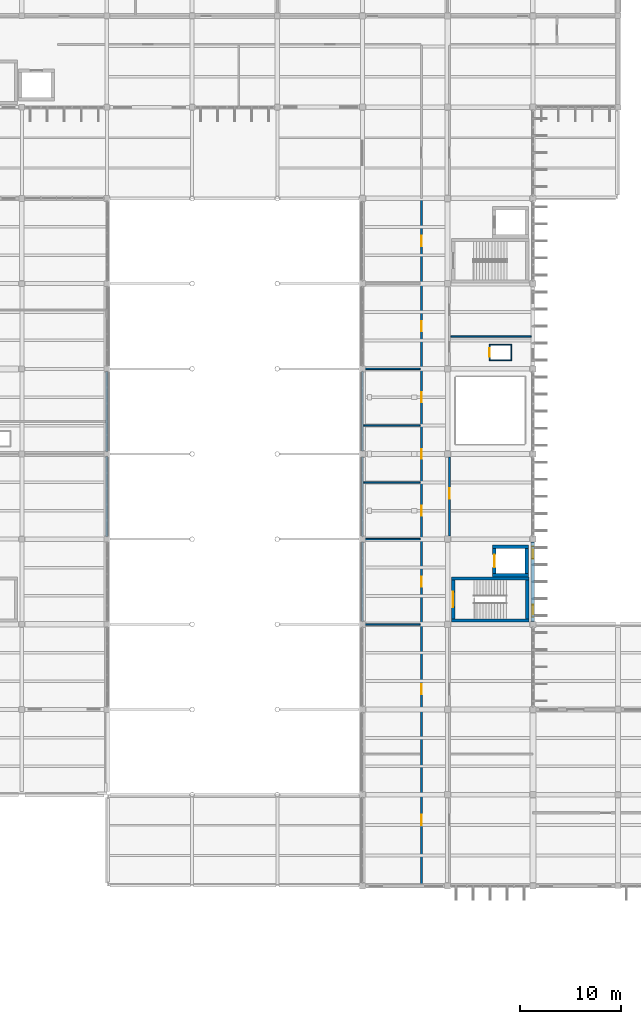
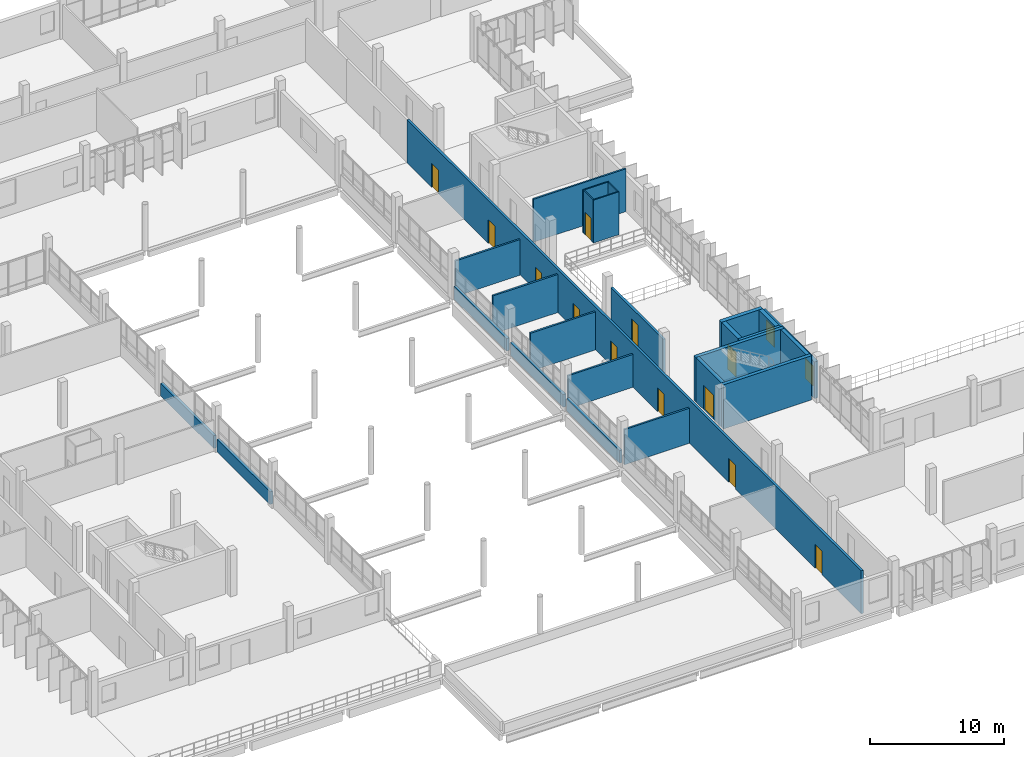
# One storey, part 114 of 130: 26 walls, 12 doors, 2 windows, 14 openings.
"""IFC4 building model written with IfcOpenShell, lengths in metres."""

import ifcopenshell
import ifcopenshell.guid

model = None  # the IFC model being written
_history = None  # IfcOwnerHistory: only IFC2X3 demands one
_inside = {}  # id of a spatial element -> (the spatial element, [elements in it])
_under = {}  # id of a project, library or spatial element -> (it, [spatial elements below it])
_declared = {}  # id of a project -> (the project, [libraries it declares])
_typed = {}  # id of a type object -> (the type object, [elements of that type])
_made_of = {}  # id of a material, layer set ... -> (it, [elements and type objects made of it])


def new_model(schema):
    """Start an empty IFC model of exactly this schema.

    Asked for "IFC4X3", IfcOpenShell would pick the latest addendum, in which some entities
    have other attributes; the version numbers below select the first issue.
    IFC2X3 requires an IfcOwnerHistory on every rooted entity: one is made here for all.
    """
    global model, _history
    if schema == "IFC4X3":
        model = ifcopenshell.file(schema_version=(4, 3, 0, 0))
    else:
        model = ifcopenshell.file(schema=schema)
    _inside.clear()
    _under.clear()
    _declared.clear()
    _typed.clear()
    _made_of.clear()
    _history = None
    if model.schema == "IFC2X3":
        org = make("IfcOrganization", Name="unknown")
        user = make(
            "IfcPersonAndOrganization",
            ThePerson=make("IfcPerson", FamilyName="unknown"),
            TheOrganization=org,
        )
        app = make(
            "IfcApplication",
            ApplicationDeveloper=org,
            Version="unknown",
            ApplicationFullName="unknown",
            ApplicationIdentifier="unknown",
        )
        _history = make(
            "IfcOwnerHistory",
            OwningUser=user,
            OwningApplication=app,
            ChangeAction="ADDED",
            CreationDate=0,
        )
    return model


def make(cls, **values):
    """One entity of the class cls with the attributes given. An attribute that is None is left unset."""
    return model.create_entity(
        cls, **{name: value for name, value in values.items() if value is not None}
    )


def rooted(cls, **values):
    """An entity with a GlobalId (a new one), such as an element, a storey or a relation."""
    return make(cls, GlobalId=ifcopenshell.guid.new(), OwnerHistory=_history, **values)


def si_unit(unit_type, name, prefix=None):
    """IfcSIUnit, for example si_unit("LENGTHUNIT", "METRE", prefix="MILLI")."""
    return make("IfcSIUnit", UnitType=unit_type, Prefix=prefix, Name=name)


def assignment(units):
    """IfcUnitAssignment: the units of a project."""
    return None if units is None else make("IfcUnitAssignment", Units=units)


def point(xyz):
    """IfcCartesianPoint."""
    return None if xyz is None else make("IfcCartesianPoint", Coordinates=xyz)


def direction(xyz):
    """IfcDirection."""
    return None if xyz is None else make("IfcDirection", DirectionRatios=xyz)


def frame(location, z_axis=None, x_axis=None):
    """IfcAxis2Placement3D, a coordinate frame: its origin and axes. An axis left out is left unset."""
    return make(
        "IfcAxis2Placement3D",
        Location=point(location),
        Axis=direction(z_axis),
        RefDirection=direction(x_axis),
    )


def frame_2d(location, x_axis=None):
    """IfcAxis2Placement2D, a coordinate frame in the plane: its origin and x axis."""
    return make(
        "IfcAxis2Placement2D", Location=point(location), RefDirection=direction(x_axis)
    )


def origin():
    """The frame at (0, 0, 0) with its axes left unset."""
    return frame((0.0, 0.0, 0.0))


def place(relative_to, where):
    """IfcLocalPlacement: puts the frame where relative to a parent placement (None: the world)."""
    return make(
        "IfcLocalPlacement", PlacementRelTo=relative_to, RelativePlacement=where
    )


def context(
    kind, dimensions, precision=None, world=None, true_north=None, identifier=None
):
    """IfcGeometricRepresentationContext, for example the 3D "Model" context."""
    return make(
        "IfcGeometricRepresentationContext",
        ContextIdentifier=identifier,
        ContextType=kind,
        CoordinateSpaceDimension=dimensions,
        Precision=precision,
        WorldCoordinateSystem=world,
        TrueNorth=true_north,
    )


def subcontext(parent, identifier, kind, view, scale=None):
    """IfcGeometricRepresentationSubContext, for example "Body" below "Model"."""
    return make(
        "IfcGeometricRepresentationSubContext",
        ContextIdentifier=identifier,
        ContextType=kind,
        ParentContext=parent,
        TargetScale=scale,
        TargetView=view,
    )


def project(units=None, contexts=None):
    """IfcProject with its units and contexts."""
    return rooted(
        "IfcProject",
        Name="project",
        RepresentationContexts=contexts,
        UnitsInContext=assignment(units),
    )


def spatial(cls, under=None, at=None, **own):
    """A site, building, storey or space (cls), placed at a placement, below another one or the project."""
    s = rooted(cls, ObjectPlacement=at, **own)
    if under is not None:
        _under.setdefault(under.id(), (under, []))[1].append(s)
    return s


def profile(cls, at=None, kind="AREA", **sizes):
    """A parametric profile (cls). Its sizes go by their IFC names, for example OverallWidth=200.0."""
    return make(cls, ProfileType=kind, Position=at, **sizes)


def rectangle(**sizes):
    """IfcRectangleProfileDef."""
    return profile("IfcRectangleProfileDef", **sizes)


def extrude(swept, where, along, depth):
    """IfcExtrudedAreaSolid: the profile swept, set in the frame where, extruded along a direction by depth."""
    return make(
        "IfcExtrudedAreaSolid",
        SweptArea=swept,
        Position=where,
        ExtrudedDirection=direction(along),
        Depth=depth,
    )


def shape(context_of_items, identifier, shape_type, items):
    """IfcShapeRepresentation: the items that make up one representation, for example the "Body"."""
    return make(
        "IfcShapeRepresentation",
        ContextOfItems=context_of_items,
        RepresentationIdentifier=identifier,
        RepresentationType=shape_type,
        Items=items,
    )


def material(Name=None, Category=None):
    """IfcMaterial."""
    return make("IfcMaterial", Name=Name, Category=Category)


def layer(
    of_material, thickness, ventilated=None, Name=None, Category=None, Priority=None
):
    """IfcMaterialLayer: one layer of a wall or slab, of a material (None: an air gap)."""
    return make(
        "IfcMaterialLayer",
        Material=of_material,
        LayerThickness=thickness,
        IsVentilated=ventilated,
        Name=Name,
        Category=Category,
        Priority=Priority,
    )


def layer_set(layers, Name=None):
    """IfcMaterialLayerSet."""
    return make("IfcMaterialLayerSet", MaterialLayers=layers, LayerSetName=Name)


def made_of(thing, what):
    """Note that an element or type object is made of a material, layer set ...; save() writes the relation."""
    if what is not None:
        _made_of.setdefault(what.id(), (what, []))[1].append(thing)
    return thing


def type_object(cls, material=None, **own):
    """A type object (cls), such as IfcWallType, which elements share."""
    return made_of(rooted(cls, **own), material)


def element(
    cls,
    number,
    at=None,
    inside=None,
    cuts=None,
    type_object=None,
    material=None,
    context=None,
    identifier="Body",
    shape_type=None,
    held_by="IfcProductDefinitionShape",
    body=None,
    shapes=None,
    **own,
):
    """One element of the class cls, such as IfcWall. Its Tag is "e" and its number.

    at: its placement. inside: the storey or other place that contains it. cuts: it is an
    opening in that element (IfcRelVoidsElement). A single representation is given by context,
    identifier, shape_type and body (its items); several are given by shapes. held_by: the class
    of the entity that holds the representations. save() writes the other relations.
    """
    e = rooted(cls, Tag="e%d" % number, ObjectPlacement=at, **own)
    if body is not None:
        shapes = [shape(context, identifier, shape_type, body)]
    if shapes is not None:
        e.Representation = make(held_by, Representations=shapes)
    if inside is not None:
        _inside.setdefault(inside.id(), (inside, []))[1].append(e)
    if cuts is not None:
        rooted(
            "IfcRelVoidsElement", RelatingBuildingElement=cuts, RelatedOpeningElement=e
        )
    if type_object is not None:
        _typed.setdefault(type_object.id(), (type_object, []))[1].append(e)
    return made_of(e, material)


def fill(opening, filler):
    """IfcRelFillsElement: the door or window that sits in an opening."""
    return rooted(
        "IfcRelFillsElement",
        RelatingOpeningElement=opening,
        RelatedBuildingElement=filler,
    )


def aggregate(whole, parts):
    """IfcRelAggregates: a whole, such as a stair, and the parts it consists of."""
    return rooted("IfcRelAggregates", RelatingObject=whole, RelatedObjects=parts)


def save(model, path):
    """Write the relations noted so far, then the file.

    IfcRelAggregates (storeys below a building ...), IfcRelContainedInSpatialStructure (elements
    in a storey), IfcRelDefinesByType, IfcRelAssociatesMaterial and IfcRelDeclares: one each for
    every whole, place, type object, material and project.
    """
    for whole, parts in _under.values():
        aggregate(whole, parts)
    for where, things in _inside.values():
        rooted(
            "IfcRelContainedInSpatialStructure",
            RelatedElements=things,
            RelatingStructure=where,
        )
    for kind, things in _typed.values():
        rooted("IfcRelDefinesByType", RelatedObjects=things, RelatingType=kind)
    for what, things in _made_of.values():
        rooted("IfcRelAssociatesMaterial", RelatedObjects=things, RelatingMaterial=what)
    for by, libraries in _declared.values():
        rooted("IfcRelDeclares", RelatingContext=by, RelatedDefinitions=libraries)
    model.write(path)


model = new_model("IFC4")

# Units and contexts
model_context = context("Model", 3, precision=1e-05, world=origin(), true_north=direction((0.0, 1.0)))
body_context = subcontext(model_context, "Body", "Model", "MODEL_VIEW")
ifc_project = project(units=[si_unit("LENGTHUNIT", "METRE"), si_unit("AREAUNIT", "SQUARE_METRE"), si_unit("VOLUMEUNIT", "CUBIC_METRE"), si_unit("PLANEANGLEUNIT", "RADIAN"), si_unit("MASSUNIT", "GRAM", prefix="KILO")], contexts=[model_context])

# Site, building, storey
site_placement = place(None, origin())
site = spatial("IfcSite", under=ifc_project, at=site_placement, CompositionType="ELEMENT")
building_placement = place(site_placement, origin())
building = spatial("IfcBuilding", under=site, at=building_placement, Name="Vireocrest Preparatory School", CompositionType="ELEMENT")
storey_placement = place(building_placement, frame((0.0, 0.0, 9.0)))
storey = spatial("IfcBuildingStorey", under=building, at=storey_placement, Name="L02", CompositionType="ELEMENT", Elevation=9.0)

# Wall
ifc_material_1 = material(Name="Gypsum board on cold-formed steel studs", Category="steel")
ifc_layer_1 = layer(ifc_material_1, 0.139892578125)
ifc_layer_set_1 = layer_set([ifc_layer_1], Name="Gypsum board on cold-formed steel studs")
wall_type_1 = type_object("IfcWallType", Name="Classroom Acoustic Partition Wall 140", PredefinedType="PARTITIONING", material=ifc_layer_set_1)
wall_1_placement = place(storey_placement, frame((101.10498046875, 72.199951171875, 0.0), z_axis=(0.0, 0.0, 1.0), x_axis=(1.0, 0.0, 0.0)))
element("IfcWall", 1, at=wall_1_placement, inside=storey, type_object=wall_type_1, Name="Interior Partition W03 IW_L02_0238", PredefinedType="PARTITIONING", context=body_context, shape_type="SweptSolid", body=[
    extrude(rectangle(XDim=7.929931640625, YDim=0.139892578125, at=frame_2d((3.96484375, 0.0))), origin(), (0.0, 0.0, 1.0), 3.89990234375),
])

# Wall, openings, doors
ifc_layer_2 = layer(ifc_material_1, 0.199951171875)
ifc_layer_set_2 = layer_set([ifc_layer_2], Name="Gypsum board on cold-formed steel studs")
wall_type_2 = type_object("IfcWallType", Name="Corridor One-Hour Fire Partition 200", PredefinedType="PARTITIONING", material=ifc_layer_set_2)
wall_2_placement = place(storey_placement, frame((98.199951171875, 18.1650390625, 0.0), z_axis=(0.0, 0.0, 1.0), x_axis=(0.0, 1.0, 0.0)))
wall_2 = element("IfcWall", 2, at=wall_2_placement, inside=storey, type_object=wall_type_2, Name="Interior Partition W06 IW_L02_0232", PredefinedType="PARTITIONING", context=body_context, shape_type="SweptSolid", body=[
    extrude(rectangle(XDim=67.625, YDim=0.199951171875, at=frame_2d((33.8125, 0.0))), origin(), (0.0, 0.0, 1.0), 3.89990234375),
])
opening_1_placement = place(wall_2_placement, frame((5.8349609375, 0.0, 0.0)))
opening_1 = element("IfcOpeningElement", 3, at=opening_1_placement, cuts=wall_2, Name="Opening D-L02-E2W01", PredefinedType="OPENING", context=body_context, shape_type="SweptSolid", body=[
    extrude(rectangle(XDim=1.0, YDim=2.14990234375, at=frame_2d((0.5, 1.074951171875))), frame((0.0, 0.10986328125, 0.0), z_axis=(0.0, -1.0, 0.0), x_axis=(1.0, 0.0, 0.0)), (0.0, 0.0, 1.0), 0.219970703125),
])
opening_2_placement = place(wall_2_placement, frame((18.735107421875, 0.0, 0.0)))
opening_2 = element("IfcOpeningElement", 4, at=opening_2_placement, cuts=wall_2, Name="Opening D-L02-E2W02", PredefinedType="OPENING", context=body_context, shape_type="SweptSolid", body=[
    extrude(rectangle(XDim=1.0, YDim=2.14990234375, at=frame_2d((0.5, 1.074951171875))), frame((0.0, 0.10986328125, 0.0), z_axis=(0.0, -1.0, 0.0), x_axis=(1.0, 0.0, 0.0)), (0.0, 0.0, 1.0), 0.219970703125),
])
opening_3_placement = place(wall_2_placement, frame((29.3349609375, 0.0, 0.0)))
opening_3 = element("IfcOpeningElement", 5, at=opening_3_placement, cuts=wall_2, Name="Opening D-L02-E2W03", PredefinedType="OPENING", context=body_context, shape_type="SweptSolid", body=[
    extrude(rectangle(XDim=1.0, YDim=2.14990234375, at=frame_2d((0.5, 1.074951171875))), frame((0.0, 0.10986328125, 0.0), z_axis=(0.0, -1.0, 0.0), x_axis=(1.0, 0.0, 0.0)), (0.0, 0.0, 1.0), 0.219970703125),
])
opening_4_placement = place(wall_2_placement, frame((36.360107421875, 0.0, 0.0)))
opening_4 = element("IfcOpeningElement", 6, at=opening_4_placement, cuts=wall_2, Name="Opening D-L02-E2W04", PredefinedType="OPENING", context=body_context, shape_type="SweptSolid", body=[
    extrude(rectangle(XDim=0.949951171875, YDim=2.199951171875, at=frame_2d((0.47509765625, 1.10009765625))), frame((0.0, 0.10986328125, 0.0), z_axis=(0.0, -1.0, 0.0), x_axis=(1.0, 0.0, 0.0)), (0.0, 0.0, 1.0), 0.219970703125),
])
opening_5_placement = place(wall_2_placement, frame((41.9599609375, 0.0, 0.0)))
opening_5 = element("IfcOpeningElement", 7, at=opening_5_placement, cuts=wall_2, Name="Opening D-L02-E2W05", PredefinedType="OPENING", context=body_context, shape_type="SweptSolid", body=[
    extrude(rectangle(XDim=0.949951171875, YDim=2.199951171875, at=frame_2d((0.47509765625, 1.10009765625))), frame((0.0, 0.10986328125, 0.0), z_axis=(0.0, -1.0, 0.0), x_axis=(1.0, 0.0, 0.0)), (0.0, 0.0, 1.0), 0.219970703125),
])
opening_6_placement = place(wall_2_placement, frame((47.56005859375, 0.0, 0.0)))
opening_6 = element("IfcOpeningElement", 8, at=opening_6_placement, cuts=wall_2, Name="Opening D-L02-E2W06", PredefinedType="OPENING", context=body_context, shape_type="SweptSolid", body=[
    extrude(rectangle(XDim=0.949951171875, YDim=2.10009765625, at=frame_2d((0.47509765625, 1.050048828125))), frame((0.0, 0.10986328125, 0.0), z_axis=(0.0, -1.0, 0.0), x_axis=(1.0, 0.0, 0.0)), (0.0, 0.0, 1.0), 0.219970703125),
])
opening_7_placement = place(wall_2_placement, frame((54.534912109375, 0.0, 0.0)))
opening_7 = element("IfcOpeningElement", 9, at=opening_7_placement, cuts=wall_2, Name="Opening D-L02-E2W07", PredefinedType="OPENING", context=body_context, shape_type="SweptSolid", body=[
    extrude(rectangle(XDim=1.0, YDim=2.14990234375, at=frame_2d((0.5, 1.074951171875))), frame((0.0, 0.10986328125, 0.0), z_axis=(0.0, -1.0, 0.0), x_axis=(1.0, 0.0, 0.0)), (0.0, 0.0, 1.0), 0.219970703125),
])
opening_8_placement = place(wall_2_placement, frame((62.93505859375, 0.0, 0.0)))
opening_8 = element("IfcOpeningElement", 10, at=opening_8_placement, cuts=wall_2, Name="Opening D-L02-E2W08", PredefinedType="OPENING", context=body_context, shape_type="SweptSolid", body=[
    extrude(rectangle(XDim=1.0, YDim=2.14990234375, at=frame_2d((0.5, 1.074951171875))), frame((0.0, 0.10986328125, 0.0), z_axis=(0.0, -1.0, 0.0), x_axis=(1.0, 0.0, 0.0)), (0.0, 0.0, 1.0), 0.219970703125),
])
ifc_material_2 = material(Name="Solid-core architectural birch timber", Category="wood")
door_type_1 = type_object("IfcDoorType", Name="Accessible WC Timber Door 950x2100", OperationType="NOTDEFINED", PredefinedType="DOOR", material=ifc_material_2)
door_1_placement = place(opening_6_placement, origin())
door_1 = element("IfcDoor", 11, at=door_1_placement, inside=storey, type_object=door_type_1, Name="Interior Door D-L02-E2W06", OperationType="SINGLE_SWING_RIGHT", OverallHeight=2.10009765625, OverallWidth=0.949951171875, PredefinedType="DOOR", context=body_context, shape_type="SweptSolid", body=[
    extrude(rectangle(XDim=0.949951171875, YDim=2.10009765625, at=frame_2d((0.47509765625, 1.050048828125))), frame((0.0, 0.02490234375, 0.0), z_axis=(0.0, -1.0, 0.0), x_axis=(1.0, 0.0, 0.0)), (0.0, 0.0, 1.0), 0.050048828125),
])
fill(opening_6, door_1)
door_type_2 = type_object("IfcDoorType", Name="Classroom Acoustic Timber Door 1000x2150", OperationType="NOTDEFINED", PredefinedType="DOOR", material=ifc_material_2)
door_2_placement = place(opening_1_placement, origin())
door_2 = element("IfcDoor", 12, at=door_2_placement, inside=storey, type_object=door_type_2, Name="Interior Door D-L02-E2W01", OperationType="SINGLE_SWING_LEFT", OverallHeight=2.14990234375, OverallWidth=1.0, PredefinedType="DOOR", context=body_context, shape_type="SweptSolid", body=[
    extrude(rectangle(XDim=1.0, YDim=2.14990234375, at=frame_2d((0.5, 1.074951171875))), frame((0.0, 0.02490234375, 0.0), z_axis=(0.0, -1.0, 0.0), x_axis=(1.0, 0.0, 0.0)), (0.0, 0.0, 1.0), 0.050048828125),
])
fill(opening_1, door_2)
door_3_placement = place(opening_2_placement, origin())
door_3 = element("IfcDoor", 13, at=door_3_placement, inside=storey, type_object=door_type_2, Name="Interior Door D-L02-E2W02", OperationType="SINGLE_SWING_RIGHT", OverallHeight=2.14990234375, OverallWidth=1.0, PredefinedType="DOOR", context=body_context, shape_type="SweptSolid", body=[
    extrude(rectangle(XDim=1.0, YDim=2.14990234375, at=frame_2d((0.5, 1.074951171875))), frame((0.0, 0.02490234375, 0.0), z_axis=(0.0, -1.0, 0.0), x_axis=(1.0, 0.0, 0.0)), (0.0, 0.0, 1.0), 0.050048828125),
])
fill(opening_2, door_3)
door_4_placement = place(opening_3_placement, origin())
door_4 = element("IfcDoor", 14, at=door_4_placement, inside=storey, type_object=door_type_2, Name="Interior Door D-L02-E2W03", OperationType="SINGLE_SWING_LEFT", OverallHeight=2.14990234375, OverallWidth=1.0, PredefinedType="DOOR", context=body_context, shape_type="SweptSolid", body=[
    extrude(rectangle(XDim=1.0, YDim=2.14990234375, at=frame_2d((0.5, 1.074951171875))), frame((0.0, 0.02490234375, 0.0), z_axis=(0.0, -1.0, 0.0), x_axis=(1.0, 0.0, 0.0)), (0.0, 0.0, 1.0), 0.050048828125),
])
fill(opening_3, door_4)
door_5_placement = place(opening_7_placement, origin())
door_5 = element("IfcDoor", 15, at=door_5_placement, inside=storey, type_object=door_type_2, Name="Interior Door D-L02-E2W07", OperationType="SINGLE_SWING_LEFT", OverallHeight=2.14990234375, OverallWidth=1.0, PredefinedType="DOOR", context=body_context, shape_type="SweptSolid", body=[
    extrude(rectangle(XDim=1.0, YDim=2.14990234375, at=frame_2d((0.5, 1.074951171875))), frame((0.0, 0.02490234375, 0.0), z_axis=(0.0, -1.0, 0.0), x_axis=(1.0, 0.0, 0.0)), (0.0, 0.0, 1.0), 0.050048828125),
])
fill(opening_7, door_5)
door_6_placement = place(opening_8_placement, origin())
door_6 = element("IfcDoor", 16, at=door_6_placement, inside=storey, type_object=door_type_2, Name="Interior Door D-L02-E2W08", OperationType="SINGLE_SWING_RIGHT", OverallHeight=2.14990234375, OverallWidth=1.0, PredefinedType="DOOR", context=body_context, shape_type="SweptSolid", body=[
    extrude(rectangle(XDim=1.0, YDim=2.14990234375, at=frame_2d((0.5, 1.074951171875))), frame((0.0, 0.02490234375, 0.0), z_axis=(0.0, -1.0, 0.0), x_axis=(1.0, 0.0, 0.0)), (0.0, 0.0, 1.0), 0.050048828125),
])
fill(opening_8, door_6)
door_type_3 = type_object("IfcDoorType", Name="Student Washroom Door 950x2200", OperationType="NOTDEFINED", PredefinedType="DOOR", material=ifc_material_2)
door_7_placement = place(opening_4_placement, origin())
door_7 = element("IfcDoor", 17, at=door_7_placement, inside=storey, type_object=door_type_3, Name="Interior Door D-L02-E2W04", OperationType="SINGLE_SWING_RIGHT", OverallHeight=2.199951171875, OverallWidth=0.949951171875, PredefinedType="DOOR", context=body_context, shape_type="SweptSolid", body=[
    extrude(rectangle(XDim=0.949951171875, YDim=2.199951171875, at=frame_2d((0.47509765625, 1.10009765625))), frame((0.0, 0.02490234375, 0.0), z_axis=(0.0, -1.0, 0.0), x_axis=(1.0, 0.0, 0.0)), (0.0, 0.0, 1.0), 0.050048828125),
])
fill(opening_4, door_7)
door_8_placement = place(opening_5_placement, origin())
door_8 = element("IfcDoor", 18, at=door_8_placement, inside=storey, type_object=door_type_3, Name="Interior Door D-L02-E2W05", OperationType="SINGLE_SWING_LEFT", OverallHeight=2.199951171875, OverallWidth=0.949951171875, PredefinedType="DOOR", context=body_context, shape_type="SweptSolid", body=[
    extrude(rectangle(XDim=0.949951171875, YDim=2.199951171875, at=frame_2d((0.47509765625, 1.10009765625))), frame((0.0, 0.02490234375, 0.0), z_axis=(0.0, -1.0, 0.0), x_axis=(1.0, 0.0, 0.0)), (0.0, 0.0, 1.0), 0.050048828125),
])
fill(opening_5, door_8)

# Wall, opening, door
wall_3_placement = place(storey_placement, frame((101.0, 52.510009765625, 0.0), z_axis=(0.0, 0.0, 1.0), x_axis=(0.0, 1.0, 0.0)))
wall_3 = element("IfcWall", 19, at=wall_3_placement, inside=storey, type_object=wall_type_2, Name="Interior Partition W06 IW_L02_0237", PredefinedType="PARTITIONING", context=body_context, shape_type="SweptSolid", body=[
    extrude(rectangle(XDim=7.780029296875, YDim=0.199951171875, at=frame_2d((3.89013671875, 0.0))), origin(), (0.0, 0.0, 1.0), 3.139892578125),
])
opening_9_placement = place(wall_3_placement, frame((3.68994140625, 0.0, 0.0)))
opening_9 = element("IfcOpeningElement", 20, at=opening_9_placement, cuts=wall_3, Name="Opening D-L02-E2EN01", PredefinedType="OPENING", context=body_context, shape_type="SweptSolid", body=[
    extrude(rectangle(XDim=1.0, YDim=2.14990234375, at=frame_2d((0.5, 1.074951171875))), frame((0.0, 0.10986328125, 0.0), z_axis=(0.0, -1.0, 0.0), x_axis=(1.0, 0.0, 0.0)), (0.0, 0.0, 1.0), 0.219970703125),
])
door_9_placement = place(opening_9_placement, origin())
door_9 = element("IfcDoor", 21, at=door_9_placement, inside=storey, type_object=door_type_2, Name="Interior Door D-L02-E2EN01", OperationType="SINGLE_SWING_LEFT", OverallHeight=2.14990234375, OverallWidth=1.0, PredefinedType="DOOR", context=body_context, shape_type="SweptSolid", body=[
    extrude(rectangle(XDim=1.0, YDim=2.14990234375, at=frame_2d((0.5, 1.074951171875))), frame((0.0, 0.02490234375, 0.0), z_axis=(0.0, -1.0, 0.0), x_axis=(1.0, 0.0, 0.0)), (0.0, 0.0, 1.0), 0.050048828125),
])
fill(opening_9, door_9)

# Wall, openings, windows
ifc_material_3 = material(Name="Precast white concrete 40 MPa", Category="concrete")
ifc_layer_3 = layer(ifc_material_3, 0.320068359375)
ifc_layer_set_3 = layer_set([ifc_layer_3], Name="Precast white concrete 40 MPa")
wall_type_3 = type_object("IfcWallType", Name="High-Tech Insulated Rainscreen External Wall 320", PredefinedType="SOLIDWALL", material=ifc_layer_set_3)
wall_4_placement = place(storey_placement, frame((109.199951171875, 44.074951171875, 0.0), z_axis=(0.0, 0.0, 1.0), x_axis=(0.0, 1.0, 0.0)))
wall_4 = element("IfcWall", 22, at=wall_4_placement, inside=storey, type_object=wall_type_3, Name="External Wall W12 EW_L02_0228", PredefinedType="SOLIDWALL", context=body_context, shape_type="SweptSolid", body=[
    extrude(rectangle(XDim=7.85009765625, YDim=0.320068359375, at=frame_2d((3.925048828125, 0.0))), origin(), (0.0, 0.0, 1.0), 3.340087890625),
])
opening_10_placement = place(wall_4_placement, frame((0.449951171875, 0.0, 0.85009765625)))
opening_10 = element("IfcOpeningElement", 23, at=opening_10_placement, cuts=wall_4, Name="Opening WN02", PredefinedType="OPENING", context=body_context, shape_type="SweptSolid", body=[
    extrude(rectangle(XDim=1.199951171875, YDim=1.800048828125, at=frame_2d((0.60009765625, 0.89990234375))), frame((0.0, 0.169921875, 0.0), z_axis=(0.0, -1.0, 0.0), x_axis=(1.0, 0.0, 0.0)), (0.0, 0.0, 1.0), 0.340087890625),
])
opening_11_placement = place(wall_4_placement, frame((6.199951171875, 0.0, 0.85009765625)))
opening_11 = element("IfcOpeningElement", 24, at=opening_11_placement, cuts=wall_4, Name="Opening WN02", PredefinedType="OPENING", context=body_context, shape_type="SweptSolid", body=[
    extrude(rectangle(XDim=1.199951171875, YDim=1.800048828125, at=frame_2d((0.60009765625, 0.89990234375))), frame((0.0, 0.169921875, 0.0), z_axis=(0.0, -1.0, 0.0), x_axis=(1.0, 0.0, 0.0)), (0.0, 0.0, 1.0), 0.340087890625),
])
ifc_material_4 = material(Name="Thermally broken aluminium EN AW-6063-T6", Category="aluminium")
window_type = type_object("IfcWindowType", Name="Counseling Window 1200x1800", PartitioningType="SINGLE_PANEL", PredefinedType="WINDOW", material=ifc_material_4)
window_1_placement = place(opening_10_placement, origin())
window_1 = element("IfcWindow", 25, at=window_1_placement, inside=storey, type_object=window_type, Name="Window W-L02-100 (WN02)", OverallHeight=1.800048828125, OverallWidth=1.199951171875, PartitioningType="SINGLE_PANEL", PredefinedType="WINDOW", context=body_context, shape_type="SweptSolid", body=[
    extrude(rectangle(XDim=1.199951171875, YDim=1.800048828125, at=frame_2d((0.60009765625, 0.89990234375))), frame((0.0, 0.030029296875, 0.0), z_axis=(0.0, -1.0, 0.0), x_axis=(1.0, 0.0, 0.0)), (0.0, 0.0, 1.0), 0.06005859375),
])
fill(opening_10, window_1)
window_2_placement = place(opening_11_placement, origin())
window_2 = element("IfcWindow", 26, at=window_2_placement, inside=storey, type_object=window_type, Name="Window W-L02-101 (WN02)", OverallHeight=1.800048828125, OverallWidth=1.199951171875, PartitioningType="SINGLE_PANEL", PredefinedType="WINDOW", context=body_context, shape_type="SweptSolid", body=[
    extrude(rectangle(XDim=1.199951171875, YDim=1.800048828125, at=frame_2d((0.60009765625, 0.89990234375))), frame((0.0, 0.030029296875, 0.0), z_axis=(0.0, -1.0, 0.0), x_axis=(1.0, 0.0, 0.0)), (0.0, 0.0, 1.0), 0.06005859375),
])
fill(opening_11, window_2)

# Walls
ifc_layer_4 = layer(ifc_material_1, 0.159912109375)
ifc_layer_set_4 = layer_set([ifc_layer_4], Name="Gypsum board on cold-formed steel studs")
wall_type_4 = type_object("IfcWallType", Name="Laboratory Wet-Service Partition Wall 160", PredefinedType="PARTITIONING", material=ifc_layer_set_4)
wall_5_placement = place(storey_placement, frame((92.52490234375, 43.800048828125, 0.0), z_axis=(0.0, 0.0, 1.0), x_axis=(1.0, 0.0, 0.0)))
element("IfcWall", 27, at=wall_5_placement, inside=storey, type_object=wall_type_4, Name="Interior Partition W04 IW_L02_0226", PredefinedType="PARTITIONING", context=body_context, shape_type="SweptSolid", body=[
    extrude(rectangle(XDim=5.570068359375, YDim=0.159912109375, at=frame_2d((2.78515625, 0.0))), origin(), (0.0, 0.0, 1.0), 3.18994140625),
])
wall_6_placement = place(storey_placement, frame((92.52490234375, 52.199951171875, 0.0), z_axis=(0.0, 0.0, 1.0), x_axis=(1.0, 0.0, 0.0)))
element("IfcWall", 28, at=wall_6_placement, inside=storey, type_object=wall_type_4, Name="Interior Partition W04 IW_L02_0227", PredefinedType="PARTITIONING", context=body_context, shape_type="SweptSolid", body=[
    extrude(rectangle(XDim=5.570068359375, YDim=0.159912109375, at=frame_2d((2.78515625, 0.0))), origin(), (0.0, 0.0, 1.0), 2.989990234375),
])
for number, where, z_axis, x_axis, name in (
    (29, (92.52490234375, 57.800048828125, 0.0), (0.0, 0.0, 1.0), (1.0, 0.0, 0.0), "Interior Partition W04 IW_L02_0228"),
    (30, (92.52490234375, 63.39990234375, 0.0), (0.0, 0.0, 1.0), (1.0, 0.0, 0.0), "Interior Partition W04 IW_L02_0229"),
):
    element("IfcWall", number, at=place(storey_placement, frame(where, z_axis=z_axis, x_axis=x_axis)), inside=storey, type_object=wall_type_4, Name=name, PredefinedType="PARTITIONING", context=body_context, shape_type="SweptSolid", body=[
        extrude(rectangle(XDim=5.570068359375, YDim=0.159912109375, at=frame_2d((2.78515625, 0.0))), origin(), (0.0, 0.0, 1.0), 3.4599609375),
    ])
wall_7_placement = place(storey_placement, frame((92.52490234375, 69.0, 0.0), z_axis=(0.0, 0.0, 1.0), x_axis=(1.0, 0.0, 0.0)))
element("IfcWall", 31, at=wall_7_placement, inside=storey, type_object=wall_type_4, Name="Interior Partition W04 IW_L02_0230", PredefinedType="PARTITIONING", context=body_context, shape_type="SweptSolid", body=[
    extrude(rectangle(XDim=5.570068359375, YDim=0.159912109375, at=frame_2d((2.78515625, 0.0))), origin(), (0.0, 0.0, 1.0), 3.239990234375),
])
ifc_layer_5 = layer(ifc_material_1, 0.10009765625)
ifc_layer_set_5 = layer_set([ifc_layer_5], Name="Gypsum board on cold-formed steel studs")
wall_type_5 = type_object("IfcWallType", Name="Riser Shaft Lining Wall 100", PredefinedType="PARTITIONING", material=ifc_layer_set_5)
for number, where, z_axis, x_axis, name in (
    (32, (104.89990234375, 69.85009765625, 0.0), (0.0, 0.0, 1.0), (1.0, 0.0, 0.0), "MEP Riser Shaft Wall W01 EAST_MEP-L02-S"),
    (33, (104.89990234375, 71.35009765625, 0.0), (0.0, 0.0, 1.0), (1.0, 0.0, 0.0), "MEP Riser Shaft Wall W01 EAST_MEP-L02-N"),
):
    element("IfcWall", number, at=place(storey_placement, frame(where, z_axis=z_axis, x_axis=x_axis)), inside=storey, type_object=wall_type_5, Name=name, PredefinedType="PARTITIONING", context=body_context, shape_type="SweptSolid", body=[
        extrude(rectangle(XDim=2.2001953125, YDim=0.10009765625, at=frame_2d((1.10009765625, 0.0))), origin(), (0.0, 0.0, 1.0), 3.89990234375),
    ])

# Wall, opening, door
wall_8_placement = place(storey_placement, frame((104.949951171875, 69.89990234375, 0.0), z_axis=(0.0, 0.0, 1.0), x_axis=(0.0, 1.0, 0.0)))
wall_8 = element("IfcWall", 34, at=wall_8_placement, inside=storey, type_object=wall_type_5, Name="MEP Riser Shaft Wall W01 EAST_MEP-L02-W", PredefinedType="PARTITIONING", context=body_context, shape_type="SweptSolid", body=[
    extrude(rectangle(XDim=1.400146484375, YDim=0.10009765625, at=frame_2d((0.7001953125, 0.0))), origin(), (0.0, 0.0, 1.0), 3.89990234375),
])
opening_12_placement = place(wall_8_placement, frame((0.27490234375, 0.0, 0.0)))
opening_12 = element("IfcOpeningElement", 35, at=opening_12_placement, cuts=wall_8, Name="Opening D-L02-RSE", PredefinedType="OPENING", context=body_context, shape_type="SweptSolid", body=[
    extrude(rectangle(XDim=0.85009765625, YDim=2.050048828125, at=frame_2d((0.425048828125, 1.02490234375))), frame((0.0, 0.06005859375, 0.0), z_axis=(0.0, -1.0, 0.0), x_axis=(1.0, 0.0, 0.0)), (0.0, 0.0, 1.0), 0.1201171875),
])
ifc_material_5 = material(Name="Painted galvanized hollow steel", Category="steel")
door_type_4 = type_object("IfcDoorType", Name="Riser Access Steel Door 850x2050", OperationType="NOTDEFINED", PredefinedType="DOOR", material=ifc_material_5)
door_10_placement = place(opening_12_placement, origin())
door_10 = element("IfcDoor", 36, at=door_10_placement, inside=storey, type_object=door_type_4, Name="Riser Shaft Access Door D-L02-RSE", OperationType="SINGLE_SWING_LEFT", OverallHeight=2.050048828125, OverallWidth=0.85009765625, PredefinedType="DOOR", context=body_context, shape_type="SweptSolid", body=[
    extrude(rectangle(XDim=0.85009765625, YDim=2.050048828125, at=frame_2d((0.425048828125, 1.02490234375))), frame((0.0, 0.02490234375, 0.0), z_axis=(0.0, -1.0, 0.0), x_axis=(1.0, 0.0, 0.0)), (0.0, 0.0, 1.0), 0.050048828125),
])
fill(opening_12, door_10)

# Walls
wall_9_placement = place(storey_placement, frame((107.050048828125, 69.89990234375, 0.0), z_axis=(0.0, 0.0, 1.0), x_axis=(0.0, 1.0, 0.0)))
element("IfcWall", 37, at=wall_9_placement, inside=storey, type_object=wall_type_5, Name="MEP Riser Shaft Wall W01 EAST_MEP-L02-E", PredefinedType="PARTITIONING", context=body_context, shape_type="SweptSolid", body=[
    extrude(rectangle(XDim=1.400146484375, YDim=0.10009765625, at=frame_2d((0.7001953125, 0.0))), origin(), (0.0, 0.0, 1.0), 3.89990234375),
])
ifc_material_6 = material(Name="Concrete 45 MPa", Category="concrete")
ifc_layer_6 = layer(ifc_material_6, 0.35009765625)
ifc_layer_set_6 = layer_set([ifc_layer_6], Name="Concrete 45 MPa")
wall_type_6 = type_object("IfcWallType", Name="Two-Hour RC Lift Core Shear Wall 350", PredefinedType="SHEAR", material=ifc_layer_set_6)
for number, where, z_axis, x_axis, name in (
    (38, (105.22509765625, 48.64990234375, 0.0), (0.0, 0.0, 1.0), (1.0, 0.0, 0.0), "Lift Core Shear Wall LF2 L02-S"),
    (39, (105.22509765625, 51.449951171875, 0.0), (0.0, 0.0, 1.0), (1.0, 0.0, 0.0), "Lift Core Shear Wall LF2 L02-N"),
):
    element("IfcWall", number, at=place(storey_placement, frame(where, z_axis=z_axis, x_axis=x_axis)), inside=storey, type_object=wall_type_6, Name=name, PredefinedType="SHEAR", context=body_context, shape_type="SweptSolid", body=[
        extrude(rectangle(XDim=3.5498046875, YDim=0.35009765625, at=frame_2d((1.77490234375, 0.0))), origin(), (0.0, 0.0, 1.0), 3.919921875),
    ])

# Wall, opening, door
wall_10_placement = place(storey_placement, frame((105.39990234375, 48.824951171875, 0.0), z_axis=(0.0, 0.0, 1.0), x_axis=(0.0, 1.0, 0.0)))
wall_10 = element("IfcWall", 40, at=wall_10_placement, inside=storey, type_object=wall_type_6, Name="Lift Core Shear Wall LF2 L02-W", PredefinedType="SHEAR", context=body_context, shape_type="SweptSolid", body=[
    extrude(rectangle(XDim=2.449951171875, YDim=0.35009765625, at=frame_2d((1.22509765625, 0.0))), origin(), (0.0, 0.0, 1.0), 3.919921875),
])
opening_13_placement = place(wall_10_placement, frame((0.60009765625, 0.0, 0.0)))
opening_13 = element("IfcOpeningElement", 41, at=opening_13_placement, cuts=wall_10, Name="Opening LD-LF2-L02", PredefinedType="OPENING", context=body_context, shape_type="SweptSolid", body=[
    extrude(rectangle(XDim=1.25, YDim=2.25, at=frame_2d((0.625, 1.125))), frame((0.0, 0.18505859375, 0.0), z_axis=(0.0, -1.0, 0.0), x_axis=(1.0, 0.0, 0.0)), (0.0, 0.0, 1.0), 0.3701171875),
])
door_type_5 = type_object("IfcDoorType", Name="Stretcher Lift Landing Sliding Door 1250x2250", OperationType="DOUBLE_DOOR_SLIDING", PredefinedType="DOOR", material=ifc_material_5)
door_11_placement = place(opening_13_placement, origin())
door_11 = element("IfcDoor", 42, at=door_11_placement, inside=storey, type_object=door_type_5, Name="Lift Landing Door LD-LF2-L02", OperationType="DOUBLE_DOOR_SLIDING", OverallHeight=2.25, OverallWidth=1.25, PredefinedType="DOOR", context=body_context, shape_type="SweptSolid", body=[
    extrude(rectangle(XDim=1.25, YDim=2.25, at=frame_2d((0.625, 1.125))), frame((0.0, 0.02490234375, 0.0), z_axis=(0.0, -1.0, 0.0), x_axis=(1.0, 0.0, 0.0)), (0.0, 0.0, 1.0), 0.050048828125),
])
fill(opening_13, door_11)

# Walls
wall_11_placement = place(storey_placement, frame((108.60009765625, 48.824951171875, 0.0), z_axis=(0.0, 0.0, 1.0), x_axis=(0.0, 1.0, 0.0)))
element("IfcWall", 43, at=wall_11_placement, inside=storey, type_object=wall_type_6, Name="Lift Core Shear Wall LF2 L02-E", PredefinedType="SHEAR", context=body_context, shape_type="SweptSolid", body=[
    extrude(rectangle(XDim=2.449951171875, YDim=0.35009765625, at=frame_2d((1.22509765625, 0.0))), origin(), (0.0, 0.0, 1.0), 3.919921875),
])
ifc_layer_7 = layer(ifc_material_6, 0.300048828125)
ifc_layer_set_7 = layer_set([ifc_layer_7], Name="Concrete 45 MPa")
wall_type_7 = type_object("IfcWallType", Name="Two-Hour RC Stair Shaft Shear Wall 300", PredefinedType="SHEAR", material=ifc_layer_set_7)
for number, where, z_axis, x_axis, name in (
    (44, (101.199951171875, 44.199951171875, 0.0), (0.0, 0.0, 1.0), (1.0, 0.0, 0.0), "Stair Core Shear Wall ST2 L02-S"),
    (45, (101.199951171875, 48.300048828125, 0.0), (0.0, 0.0, 1.0), (1.0, 0.0, 0.0), "Stair Core Shear Wall ST2 L02-N"),
):
    element("IfcWall", number, at=place(storey_placement, frame(where, z_axis=z_axis, x_axis=x_axis)), inside=storey, type_object=wall_type_7, Name=name, PredefinedType="SHEAR", context=body_context, shape_type="SweptSolid", body=[
        extrude(rectangle(XDim=7.60009765625, YDim=0.300048828125, at=frame_2d((3.800048828125, 0.0))), origin(), (0.0, 0.0, 1.0), 4.02490234375),
    ])

# Wall, opening, door
wall_12_placement = place(storey_placement, frame((101.35009765625, 44.35009765625, 0.0), z_axis=(0.0, 0.0, 1.0), x_axis=(0.0, 1.0, 0.0)))
wall_12 = element("IfcWall", 46, at=wall_12_placement, inside=storey, type_object=wall_type_7, Name="Stair Core Shear Wall ST2 L02-W", PredefinedType="SHEAR", context=body_context, shape_type="SweptSolid", body=[
    extrude(rectangle(XDim=3.7998046875, YDim=0.300048828125, at=frame_2d((1.89990234375, 0.0))), origin(), (0.0, 0.0, 1.0), 4.02490234375),
])
opening_14_placement = place(wall_12_placement, frame((1.14990234375, 0.0, 0.0)))
opening_14 = element("IfcOpeningElement", 47, at=opening_14_placement, cuts=wall_12, Name="Opening SD-ST2-L02", PredefinedType="OPENING", context=body_context, shape_type="SweptSolid", body=[
    extrude(rectangle(XDim=1.5, YDim=2.199951171875, at=frame_2d((0.75, 1.10009765625))), frame((0.0, 0.159912109375, 0.0), z_axis=(0.0, -1.0, 0.0), x_axis=(1.0, 0.0, 0.0)), (0.0, 0.0, 1.0), 0.320068359375),
])
door_type_6 = type_object("IfcDoorType", Name="Stair Enclosure Fire Door 1500x2200", OperationType="DOUBLE_DOOR_SINGLE_SWING", PredefinedType="DOOR", material=ifc_material_5)
door_12_placement = place(opening_14_placement, origin())
door_12 = element("IfcDoor", 48, at=door_12_placement, inside=storey, type_object=door_type_6, Name="Stair Enclosure Fire Door SD-ST2-L02", OperationType="DOUBLE_DOOR_SINGLE_SWING", OverallHeight=2.199951171875, OverallWidth=1.5, PredefinedType="DOOR", context=body_context, shape_type="SweptSolid", body=[
    extrude(rectangle(XDim=1.5, YDim=2.199951171875, at=frame_2d((0.75, 1.10009765625))), frame((0.0, 0.02490234375, 0.0), z_axis=(0.0, -1.0, 0.0), x_axis=(1.0, 0.0, 0.0)), (0.0, 0.0, 1.0), 0.050048828125),
])
fill(opening_14, door_12)

# Walls
wall_13_placement = place(storey_placement, frame((108.64990234375, 44.35009765625, 0.0), z_axis=(0.0, 0.0, 1.0), x_axis=(0.0, 1.0, 0.0)))
element("IfcWall", 49, at=wall_13_placement, inside=storey, type_object=wall_type_7, Name="Stair Core Shear Wall ST2 L02-E", PredefinedType="SHEAR", context=body_context, shape_type="SweptSolid", body=[
    extrude(rectangle(XDim=3.7998046875, YDim=0.300048828125, at=frame_2d((1.89990234375, 0.0))), origin(), (0.0, 0.0, 1.0), 4.02490234375),
])
ifc_layer_8 = layer(ifc_material_3, 0.239990234375)
ifc_layer_set_8 = layer_set([ifc_layer_8], Name="Precast white concrete 40 MPa")
wall_type_8 = type_object("IfcWallType", Name="White Precast Courtyard Spandrel Wall 240", PredefinedType="SOLIDWALL", material=ifc_layer_set_8)
wall_14_placement = place(storey_placement, frame((92.39990234375, 44.074951171875, 0.0), z_axis=(0.0, 0.0, 1.0), x_axis=(0.0, 1.0, 0.0)))
element("IfcWall", 50, at=wall_14_placement, inside=storey, type_object=wall_type_8, Name="External Wall W08 EW_L02_0258", PredefinedType="SOLIDWALL", context=body_context, shape_type="SweptSolid", body=[
    extrude(rectangle(XDim=7.85009765625, YDim=0.239990234375, at=frame_2d((3.925048828125, 0.0))), origin(), (0.0, 0.0, 1.0), 1.14990234375),
])
wall_15_placement = place(storey_placement, frame((92.39990234375, 52.47509765625, 0.0), z_axis=(0.0, 0.0, 1.0), x_axis=(0.0, 1.0, 0.0)))
element("IfcWall", 51, at=wall_15_placement, inside=storey, type_object=wall_type_8, Name="External Wall W08 EW_L02_0259", PredefinedType="SOLIDWALL", context=body_context, shape_type="SweptSolid", body=[
    extrude(rectangle(XDim=7.849853515625, YDim=0.239990234375, at=frame_2d((3.9248046875, 0.0))), origin(), (0.0, 0.0, 1.0), 1.14990234375),
])
wall_16_placement = place(storey_placement, frame((92.39990234375, 60.875, 0.0), z_axis=(0.0, 0.0, 1.0), x_axis=(0.0, 1.0, 0.0)))
element("IfcWall", 52, at=wall_16_placement, inside=storey, type_object=wall_type_8, Name="External Wall W08 EW_L02_0260", PredefinedType="SOLIDWALL", context=body_context, shape_type="SweptSolid", body=[
    extrude(rectangle(XDim=7.85009765625, YDim=0.239990234375, at=frame_2d((3.925048828125, 0.0))), origin(), (0.0, 0.0, 1.0), 1.14990234375),
])
wall_17_placement = place(storey_placement, frame((67.199951171875, 52.449951171875, 0.0), z_axis=(0.0, 0.0, 1.0), x_axis=(0.0, 1.0, 0.0)))
element("IfcWall", 53, at=wall_17_placement, inside=storey, type_object=wall_type_8, Name="External Wall W08 EW_L02_0294", PredefinedType="SOLIDWALL", context=body_context, shape_type="SweptSolid", body=[
    extrude(rectangle(XDim=7.900146484375, YDim=0.239990234375, at=frame_2d((3.9501953125, 0.0))), origin(), (0.0, 0.0, 1.0), 1.14990234375),
])
wall_18_placement = place(storey_placement, frame((67.199951171875, 60.85009765625, 0.0), z_axis=(0.0, 0.0, 1.0), x_axis=(0.0, 1.0, 0.0)))
element("IfcWall", 54, at=wall_18_placement, inside=storey, type_object=wall_type_8, Name="External Wall W08 EW_L02_0295", PredefinedType="SOLIDWALL", context=body_context, shape_type="SweptSolid", body=[
    extrude(rectangle(XDim=7.89990234375, YDim=0.239990234375, at=frame_2d((3.949951171875, 0.0))), origin(), (0.0, 0.0, 1.0), 1.14990234375),
])

save(model, "model.ifc")
